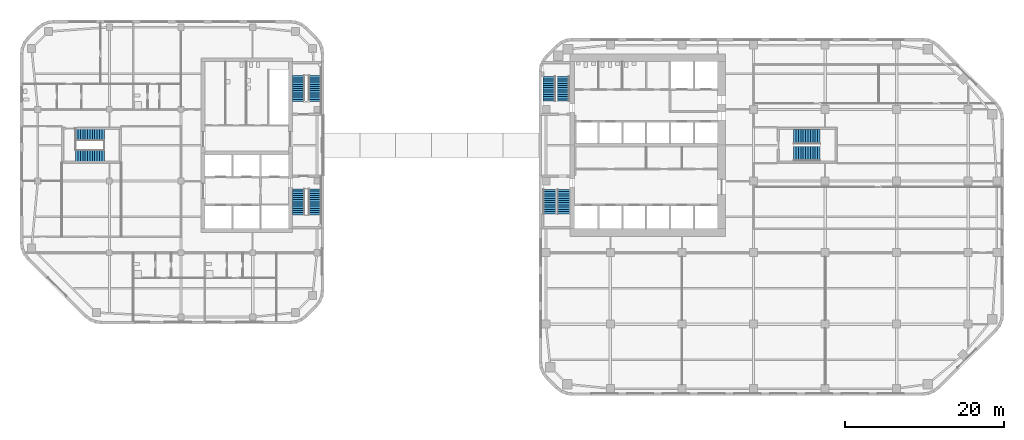
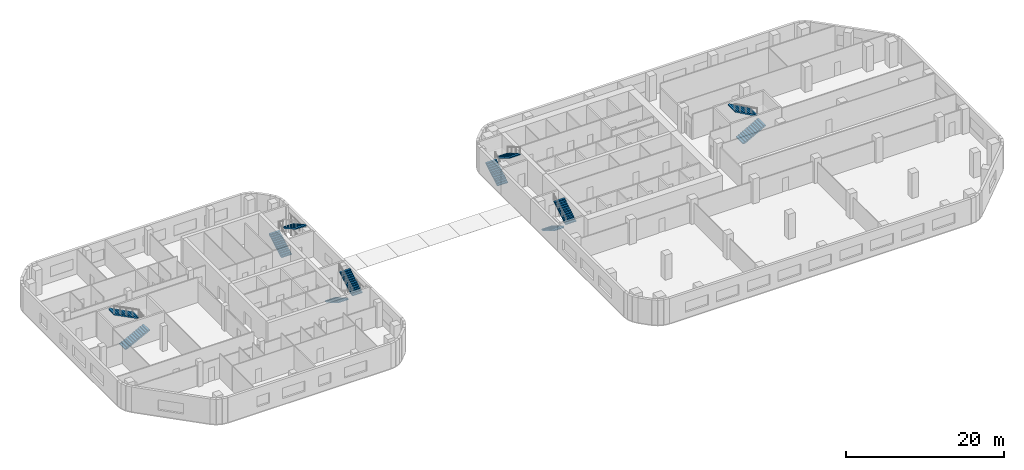
# One storey, part 12 of 15: 12 stair flights, 6 elements without a shape of their own.
"""IFC4 building model written with IfcOpenShell, lengths in metres."""

from ifc_helpers import new_model, si_unit, direction, frame, origin, place, context, subcontext, project, spatial, polyline, outline, extrude, material, type_object, element, aggregate, save


model = new_model("IFC4")

# Units and contexts
model_context = context("Model", 3, precision=1e-05, world=origin(), true_north=direction((0.0, 1.0)))
body_context = subcontext(model_context, "Body", "Model", "MODEL_VIEW")
ifc_project = project(units=[si_unit("LENGTHUNIT", "METRE"), si_unit("AREAUNIT", "SQUARE_METRE"), si_unit("VOLUMEUNIT", "CUBIC_METRE"), si_unit("PLANEANGLEUNIT", "RADIAN"), si_unit("MASSUNIT", "GRAM", prefix="KILO")], contexts=[model_context])

# Site, building, storey
site_placement = place(None, origin())
site = spatial("IfcSite", under=ifc_project, at=site_placement, CompositionType="ELEMENT")
building_placement = place(site_placement, origin())
building = spatial("IfcBuilding", under=site, at=building_placement, Name="Cinnabar Reach Civic Tower", CompositionType="ELEMENT")
storey_placement = place(building_placement, frame((0.0, 0.0, 75.0)))
storey = spatial("IfcBuildingStorey", under=building, at=storey_placement, Name="L17", CompositionType="ELEMENT", Elevation=75.0)

# Stair, stair flights
ifc_material_1 = material(Name="Concrete C40/50", Category="concrete")
stair_type_1 = type_object("IfcStairType", Name="T1 Exit stair, half-turn", PredefinedType="HALF_TURN_STAIR", material=ifc_material_1)
stair_1_placement = place(storey_placement, origin())
stair_1 = element("IfcStair", 1, at=stair_1_placement, inside=storey, type_object=stair_type_1, Name="Stair T1-S1", PredefinedType="HALF_TURN_STAIR")
stair_flight_type_1 = type_object("IfcStairFlightType", Name="T1 Stair flight, concrete", PredefinedType="STRAIGHT", material=ifc_material_1)
stair_flight_1_placement = place(storey_placement, frame((1.3125, 25.95, 0.0), z_axis=(0.0, 0.0, 1.0), x_axis=(0.0, -1.0, 0.0)))
stair_flight_1 = element("IfcStairFlight", 2, at=stair_flight_1_placement, type_object=stair_flight_type_1, Name="T1-S1 flight 1", NumberOfRisers=12, NumberOfTreads=11, PredefinedType="STRAIGHT", RiserHeight=0.166666667, TreadLength=0.28, context=body_context, shape_type="SweptSolid", body=[
    extrude(outline(polyline([(0.0, 0.0), (0.0, 0.1667), (0.28, 0.1667), (0.28, 0.3333), (0.56, 0.3333), (0.56, 0.5), (0.84, 0.5), (0.84, 0.6667), (1.12, 0.6667), (1.12, 0.8333), (1.4, 0.8333), (1.4, 1.0), (1.68, 1.0), (1.68, 1.1667), (1.96, 1.1667), (1.96, 1.3333), (2.24, 1.3333), (2.24, 1.5), (2.52, 1.5), (2.52, 1.6667), (2.8, 1.6667), (2.8, 1.8333), (3.08, 1.8333), (3.08, 2.0), (3.08, 1.6588), (0.2933, 0.0), (0.0, 0.0)])), frame((0.0, 0.7625, 0.0), z_axis=(0.0, -1.0, 0.0), x_axis=(1.0, 0.0, 0.0)), (0.0, 0.0, 1.0), 1.525),
])
stair_flight_2_placement = place(storey_placement, frame((3.0875, 22.87, 2.0), z_axis=(0.0, 0.0, 1.0), x_axis=(0.0, 1.0, 0.0)))
stair_flight_2 = element("IfcStairFlight", 3, at=stair_flight_2_placement, type_object=stair_flight_type_1, Name="T1-S1 flight 2", NumberOfRisers=12, NumberOfTreads=11, PredefinedType="STRAIGHT", RiserHeight=0.166666667, TreadLength=0.28, context=body_context, shape_type="SweptSolid", body=[
    extrude(outline(polyline([(0.0, 0.0), (0.0, 0.1667), (0.28, 0.1667), (0.28, 0.3333), (0.56, 0.3333), (0.56, 0.5), (0.84, 0.5), (0.84, 0.6667), (1.12, 0.6667), (1.12, 0.8333), (1.4, 0.8333), (1.4, 1.0), (1.68, 1.0), (1.68, 1.1667), (1.96, 1.1667), (1.96, 1.3333), (2.24, 1.3333), (2.24, 1.5), (2.52, 1.5), (2.52, 1.6667), (2.8, 1.6667), (2.8, 1.8333), (3.08, 1.8333), (3.08, 2.0), (3.08, 1.6588), (0.2933, 0.0), (0.0, 0.0)])), frame((0.0, 0.7625, 0.0), z_axis=(0.0, -1.0, 0.0), x_axis=(1.0, 0.0, 0.0)), (0.0, 0.0, 1.0), 1.525),
])
aggregate(stair_1, [stair_flight_1, stair_flight_2])

stair_2_placement = place(storey_placement, origin())
stair_2 = element("IfcStair", 4, at=stair_2_placement, inside=storey, type_object=stair_type_1, Name="Stair T1-S2", PredefinedType="HALF_TURN_STAIR")
stair_flight_3_placement = place(storey_placement, frame((1.3125, 37.05, 0.0), z_axis=(0.0, 0.0, 1.0), x_axis=(0.0, 1.0, 0.0)))
stair_flight_3 = element("IfcStairFlight", 5, at=stair_flight_3_placement, type_object=stair_flight_type_1, Name="T1-S2 flight 1", NumberOfRisers=12, NumberOfTreads=11, PredefinedType="STRAIGHT", RiserHeight=0.166666667, TreadLength=0.28, context=body_context, shape_type="SweptSolid", body=[
    extrude(outline(polyline([(0.0, 0.0), (0.0, 0.1667), (0.28, 0.1667), (0.28, 0.3333), (0.56, 0.3333), (0.56, 0.5), (0.84, 0.5), (0.84, 0.6667), (1.12, 0.6667), (1.12, 0.8333), (1.4, 0.8333), (1.4, 1.0), (1.68, 1.0), (1.68, 1.1667), (1.96, 1.1667), (1.96, 1.3333), (2.24, 1.3333), (2.24, 1.5), (2.52, 1.5), (2.52, 1.6667), (2.8, 1.6667), (2.8, 1.8333), (3.08, 1.8333), (3.08, 2.0), (3.08, 1.6588), (0.2933, 0.0), (0.0, 0.0)])), frame((0.0, 0.7625, 0.0), z_axis=(0.0, -1.0, 0.0), x_axis=(1.0, 0.0, 0.0)), (0.0, 0.0, 1.0), 1.525),
])
stair_flight_4_placement = place(storey_placement, frame((3.0875, 40.13, 2.0), z_axis=(0.0, 0.0, 1.0), x_axis=(0.0, -1.0, 0.0)))
stair_flight_4 = element("IfcStairFlight", 6, at=stair_flight_4_placement, type_object=stair_flight_type_1, Name="T1-S2 flight 2", NumberOfRisers=12, NumberOfTreads=11, PredefinedType="STRAIGHT", RiserHeight=0.166666667, TreadLength=0.28, context=body_context, shape_type="SweptSolid", body=[
    extrude(outline(polyline([(0.0, 0.0), (0.0, 0.1667), (0.28, 0.1667), (0.28, 0.3333), (0.56, 0.3333), (0.56, 0.5), (0.84, 0.5), (0.84, 0.6667), (1.12, 0.6667), (1.12, 0.8333), (1.4, 0.8333), (1.4, 1.0), (1.68, 1.0), (1.68, 1.1667), (1.96, 1.1667), (1.96, 1.3333), (2.24, 1.3333), (2.24, 1.5), (2.52, 1.5), (2.52, 1.6667), (2.8, 1.6667), (2.8, 1.8333), (3.08, 1.8333), (3.08, 2.0), (3.08, 1.6588), (0.2933, 0.0), (0.0, 0.0)])), frame((0.0, 0.7625, 0.0), z_axis=(0.0, -1.0, 0.0), x_axis=(1.0, 0.0, 0.0)), (0.0, 0.0, 1.0), 1.525),
])
aggregate(stair_2, [stair_flight_3, stair_flight_4])

stair_3_placement = place(storey_placement, origin())
stair_3 = element("IfcStair", 7, at=stair_3_placement, inside=storey, type_object=stair_type_1, Name="Stair T1-S3", PredefinedType="HALF_TURN_STAIR")
stair_flight_5_placement = place(storey_placement, frame((32.05, 30.45, 0.0), z_axis=(0.0, 0.0, 1.0), x_axis=(1.0, 0.0, 0.0)))
stair_flight_5 = element("IfcStairFlight", 8, at=stair_flight_5_placement, type_object=stair_flight_type_1, Name="T1-S3 flight 1", NumberOfRisers=12, NumberOfTreads=11, PredefinedType="STRAIGHT", RiserHeight=0.166666667, TreadLength=0.3, context=body_context, shape_type="SweptSolid", body=[
    extrude(outline(polyline([(0.0, 0.0), (0.0, 0.1667), (0.3, 0.1667), (0.3, 0.3333), (0.6, 0.3333), (0.6, 0.5), (0.9, 0.5), (0.9, 0.6667), (1.2, 0.6667), (1.2, 0.8333), (1.5, 0.8333), (1.5, 1.0), (1.8, 1.0), (1.8, 1.1667), (2.1, 1.1667), (2.1, 1.3333), (2.4, 1.3333), (2.4, 1.5), (2.7, 1.5), (2.7, 1.6667), (3.0, 1.6667), (3.0, 1.8333), (3.3, 1.8333), (3.3, 2.0), (3.3, 1.6617), (0.3089, 0.0), (0.0, 0.0)])), frame((0.0, 0.9, 0.0), z_axis=(0.0, -1.0, 0.0), x_axis=(1.0, 0.0, 0.0)), (0.0, 0.0, 1.0), 1.8),
])
stair_flight_6_placement = place(storey_placement, frame((35.35, 32.55, 2.0), z_axis=(0.0, 0.0, 1.0), x_axis=(-1.0, 0.0, 0.0)))
stair_flight_6 = element("IfcStairFlight", 9, at=stair_flight_6_placement, type_object=stair_flight_type_1, Name="T1-S3 flight 2", NumberOfRisers=12, NumberOfTreads=11, PredefinedType="STRAIGHT", RiserHeight=0.166666667, TreadLength=0.3, context=body_context, shape_type="SweptSolid", body=[
    extrude(outline(polyline([(0.0, 0.0), (0.0, 0.1667), (0.3, 0.1667), (0.3, 0.3333), (0.6, 0.3333), (0.6, 0.5), (0.9, 0.5), (0.9, 0.6667), (1.2, 0.6667), (1.2, 0.8333), (1.5, 0.8333), (1.5, 1.0), (1.8, 1.0), (1.8, 1.1667), (2.1, 1.1667), (2.1, 1.3333), (2.4, 1.3333), (2.4, 1.5), (2.7, 1.5), (2.7, 1.6667), (3.0, 1.6667), (3.0, 1.8333), (3.3, 1.8333), (3.3, 2.0), (3.3, 1.6617), (0.3089, 0.0), (0.0, 0.0)])), frame((0.0, 0.9, 0.0), z_axis=(0.0, -1.0, 0.0), x_axis=(1.0, 0.0, 0.0)), (0.0, 0.0, 1.0), 1.8),
])
aggregate(stair_3, [stair_flight_5, stair_flight_6])

ifc_material_2 = material(Name="Concrete C40", Category="concrete")
stair_type_2 = type_object("IfcStairType", Name="T2 Exit stair 1500", PredefinedType="HALF_TURN_STAIR", material=ifc_material_2)
stair_4_placement = place(storey_placement, origin())
stair_4 = element("IfcStair", 10, at=stair_4_placement, inside=storey, type_object=stair_type_2, Name="Exit stair 1", PredefinedType="HALF_TURN_STAIR")
stair_flight_type_2 = type_object("IfcStairFlightType", Name="T2 Stair flight 1500", PredefinedType="STRAIGHT", material=ifc_material_2)
stair_flight_7_placement = place(storey_placement, frame((-30.25, 26.0, 0.0), z_axis=(0.0, 0.0, 1.0), x_axis=(0.0, -1.0, 0.0)))
stair_flight_7 = element("IfcStairFlight", 11, at=stair_flight_7_placement, type_object=stair_flight_type_2, Name="ST1 flight 1", NumberOfRisers=13, NumberOfTreads=12, PredefinedType="STRAIGHT", RiserHeight=0.153846154, TreadLength=0.270833333, context=body_context, shape_type="SweptSolid", body=[
    extrude(outline(polyline([(0.0, 0.0), (0.0, 0.1538), (0.2708, 0.1538), (0.2708, 0.3077), (0.5417, 0.3077), (0.5417, 0.4615), (0.8125, 0.4615), (0.8125, 0.6154), (1.0833, 0.6154), (1.0833, 0.7692), (1.3542, 0.7692), (1.3542, 0.9231), (1.625, 0.9231), (1.625, 1.0769), (1.8958, 1.0769), (1.8958, 1.2308), (2.1667, 1.2308), (2.1667, 1.3846), (2.4375, 1.3846), (2.4375, 1.5385), (2.7083, 1.5385), (2.7083, 1.6923), (2.9792, 1.6923), (2.9792, 1.8462), (3.25, 1.8462), (3.25, 2.0), (3.25, 1.6736), (0.3037, 0.0), (0.0, 0.0)])), frame((0.0, 0.75, 0.0), z_axis=(0.0, -1.0, 0.0), x_axis=(1.0, 0.0, 0.0)), (0.0, 0.0, 1.0), 1.5),
])
stair_flight_8_placement = place(storey_placement, frame((-28.15, 22.75, 2.0), z_axis=(0.0, 0.0, 1.0), x_axis=(0.0, 1.0, 0.0)))
stair_flight_8 = element("IfcStairFlight", 12, at=stair_flight_8_placement, type_object=stair_flight_type_2, Name="ST1 flight 2", NumberOfRisers=13, NumberOfTreads=12, PredefinedType="STRAIGHT", RiserHeight=0.153846154, TreadLength=0.270833333, context=body_context, shape_type="SweptSolid", body=[
    extrude(outline(polyline([(0.0, 0.0), (0.0, 0.1538), (0.2708, 0.1538), (0.2708, 0.3077), (0.5417, 0.3077), (0.5417, 0.4615), (0.8125, 0.4615), (0.8125, 0.6154), (1.0833, 0.6154), (1.0833, 0.7692), (1.3542, 0.7692), (1.3542, 0.9231), (1.625, 0.9231), (1.625, 1.0769), (1.8958, 1.0769), (1.8958, 1.2308), (2.1667, 1.2308), (2.1667, 1.3846), (2.4375, 1.3846), (2.4375, 1.5385), (2.7083, 1.5385), (2.7083, 1.6923), (2.9792, 1.6923), (2.9792, 1.8462), (3.25, 1.8462), (3.25, 2.0), (3.25, 1.6736), (0.3037, 0.0), (0.0, 0.0)])), frame((0.0, 0.75, 0.0), z_axis=(0.0, -1.0, 0.0), x_axis=(1.0, 0.0, 0.0)), (0.0, 0.0, 1.0), 1.5),
])
aggregate(stair_4, [stair_flight_7, stair_flight_8])

stair_5_placement = place(storey_placement, origin())
stair_5 = element("IfcStair", 13, at=stair_5_placement, inside=storey, type_object=stair_type_2, Name="Exit stair 2", PredefinedType="HALF_TURN_STAIR")
stair_flight_9_placement = place(storey_placement, frame((-30.25, 37.0, 0.0), z_axis=(0.0, 0.0, 1.0), x_axis=(0.0, 1.0, 0.0)))
stair_flight_9 = element("IfcStairFlight", 14, at=stair_flight_9_placement, type_object=stair_flight_type_2, Name="ST2 flight 1", NumberOfRisers=13, NumberOfTreads=12, PredefinedType="STRAIGHT", RiserHeight=0.153846154, TreadLength=0.270833333, context=body_context, shape_type="SweptSolid", body=[
    extrude(outline(polyline([(0.0, 0.0), (0.0, 0.1538), (0.2708, 0.1538), (0.2708, 0.3077), (0.5417, 0.3077), (0.5417, 0.4615), (0.8125, 0.4615), (0.8125, 0.6154), (1.0833, 0.6154), (1.0833, 0.7692), (1.3542, 0.7692), (1.3542, 0.9231), (1.625, 0.9231), (1.625, 1.0769), (1.8958, 1.0769), (1.8958, 1.2308), (2.1667, 1.2308), (2.1667, 1.3846), (2.4375, 1.3846), (2.4375, 1.5385), (2.7083, 1.5385), (2.7083, 1.6923), (2.9792, 1.6923), (2.9792, 1.8462), (3.25, 1.8462), (3.25, 2.0), (3.25, 1.6736), (0.3037, 0.0), (0.0, 0.0)])), frame((0.0, 0.75, 0.0), z_axis=(0.0, -1.0, 0.0), x_axis=(1.0, 0.0, 0.0)), (0.0, 0.0, 1.0), 1.5),
])
stair_flight_10_placement = place(storey_placement, frame((-28.15, 40.25, 2.0), z_axis=(0.0, 0.0, 1.0), x_axis=(0.0, -1.0, 0.0)))
stair_flight_10 = element("IfcStairFlight", 15, at=stair_flight_10_placement, type_object=stair_flight_type_2, Name="ST2 flight 2", NumberOfRisers=13, NumberOfTreads=12, PredefinedType="STRAIGHT", RiserHeight=0.153846154, TreadLength=0.270833333, context=body_context, shape_type="SweptSolid", body=[
    extrude(outline(polyline([(0.0, 0.0), (0.0, 0.1538), (0.2708, 0.1538), (0.2708, 0.3077), (0.5417, 0.3077), (0.5417, 0.4615), (0.8125, 0.4615), (0.8125, 0.6154), (1.0833, 0.6154), (1.0833, 0.7692), (1.3542, 0.7692), (1.3542, 0.9231), (1.625, 0.9231), (1.625, 1.0769), (1.8958, 1.0769), (1.8958, 1.2308), (2.1667, 1.2308), (2.1667, 1.3846), (2.4375, 1.3846), (2.4375, 1.5385), (2.7083, 1.5385), (2.7083, 1.6923), (2.9792, 1.6923), (2.9792, 1.8462), (3.25, 1.8462), (3.25, 2.0), (3.25, 1.6736), (0.3037, 0.0), (0.0, 0.0)])), frame((0.0, 0.75, 0.0), z_axis=(0.0, -1.0, 0.0), x_axis=(1.0, 0.0, 0.0)), (0.0, 0.0, 1.0), 1.5),
])
aggregate(stair_5, [stair_flight_9, stair_flight_10])

stair_6_placement = place(storey_placement, origin())
stair_6 = element("IfcStair", 16, at=stair_6_placement, inside=storey, type_object=stair_type_2, Name="Exit stair 3", PredefinedType="HALF_TURN_STAIR")
stair_flight_11_placement = place(storey_placement, frame((-58.25, 30.125, 0.0), z_axis=(0.0, 0.0, 1.0), x_axis=(1.0, 0.0, 0.0)))
stair_flight_11 = element("IfcStairFlight", 17, at=stair_flight_11_placement, type_object=stair_flight_type_2, Name="ST3 flight 1", NumberOfRisers=13, NumberOfTreads=12, PredefinedType="STRAIGHT", RiserHeight=0.153846154, TreadLength=0.3, context=body_context, shape_type="SweptSolid", body=[
    extrude(outline(polyline([(0.0, 0.0), (0.0, 0.1538), (0.3, 0.1538), (0.3, 0.3077), (0.6, 0.3077), (0.6, 0.4615), (0.9, 0.4615), (0.9, 0.6154), (1.2, 0.6154), (1.2, 0.7692), (1.5, 0.7692), (1.5, 0.9231), (1.8, 0.9231), (1.8, 1.0769), (2.1, 1.0769), (2.1, 1.2308), (2.4, 1.2308), (2.4, 1.3846), (2.7, 1.3846), (2.7, 1.5385), (3.0, 1.5385), (3.0, 1.6923), (3.3, 1.6923), (3.3, 1.8462), (3.6, 1.8462), (3.6, 2.0), (3.6, 1.6776), (0.3287, 0.0), (0.0, 0.0)])), frame((0.0, 0.75, 0.0), z_axis=(0.0, -1.0, 0.0), x_axis=(1.0, 0.0, 0.0)), (0.0, 0.0, 1.0), 1.5),
])
stair_flight_12_placement = place(storey_placement, frame((-54.65, 32.875, 2.0), z_axis=(0.0, 0.0, 1.0), x_axis=(-1.0, 0.0, 0.0)))
stair_flight_12 = element("IfcStairFlight", 18, at=stair_flight_12_placement, type_object=stair_flight_type_2, Name="ST3 flight 2", NumberOfRisers=13, NumberOfTreads=12, PredefinedType="STRAIGHT", RiserHeight=0.153846154, TreadLength=0.3, context=body_context, shape_type="SweptSolid", body=[
    extrude(outline(polyline([(0.0, 0.0), (0.0, 0.1538), (0.3, 0.1538), (0.3, 0.3077), (0.6, 0.3077), (0.6, 0.4615), (0.9, 0.4615), (0.9, 0.6154), (1.2, 0.6154), (1.2, 0.7692), (1.5, 0.7692), (1.5, 0.9231), (1.8, 0.9231), (1.8, 1.0769), (2.1, 1.0769), (2.1, 1.2308), (2.4, 1.2308), (2.4, 1.3846), (2.7, 1.3846), (2.7, 1.5385), (3.0, 1.5385), (3.0, 1.6923), (3.3, 1.6923), (3.3, 1.8462), (3.6, 1.8462), (3.6, 2.0), (3.6, 1.6776), (0.3287, 0.0), (0.0, 0.0)])), frame((0.0, 0.75, 0.0), z_axis=(0.0, -1.0, 0.0), x_axis=(1.0, 0.0, 0.0)), (0.0, 0.0, 1.0), 1.5),
])
aggregate(stair_6, [stair_flight_11, stair_flight_12])

save(model, "model.ifc")
